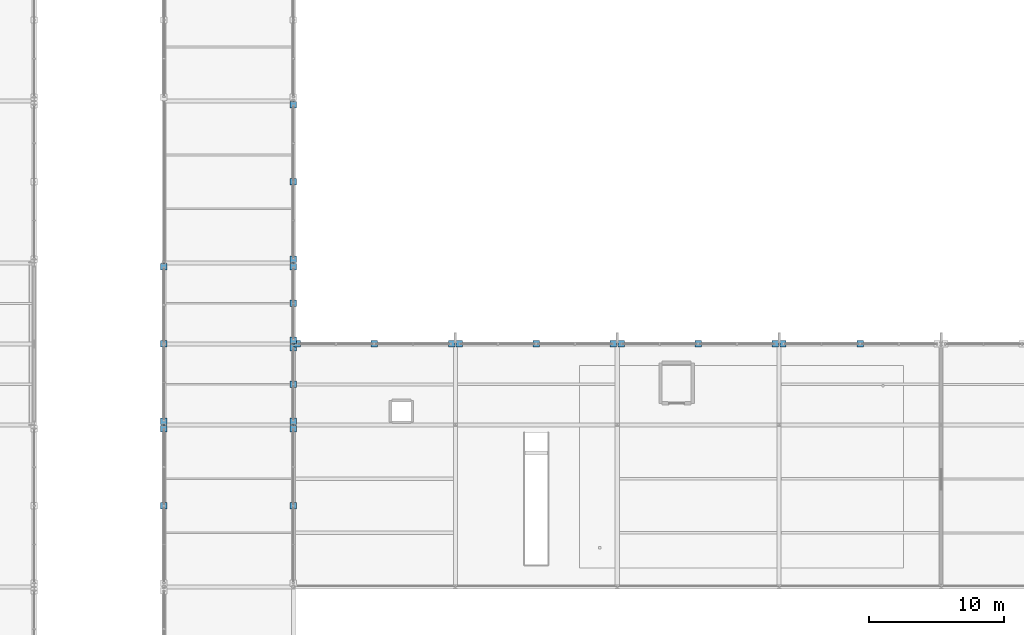
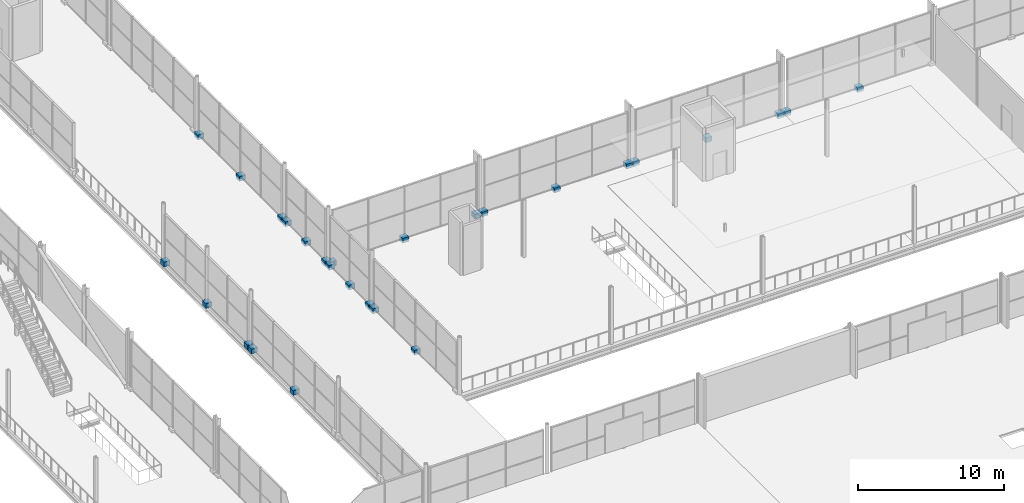
# One storey, part 146 of 159: 27 discrete accessories.
"""IFC4 building model written with IfcOpenShell, lengths in metres."""

from ifc_helpers import new_model, si_unit, direction, frame, origin, origin_2d, place, context, subcontext, project, spatial, rectangle, extrude, material, layer, layer_set, type_object, element, save


model = new_model("IFC4")

# Units and contexts
model_context = context("Model", 3, precision=1e-05, world=origin(), true_north=direction((0.0, 1.0)))
body_context = subcontext(model_context, "Body", "Model", "MODEL_VIEW")
ifc_project = project(units=[si_unit("LENGTHUNIT", "METRE"), si_unit("AREAUNIT", "SQUARE_METRE"), si_unit("VOLUMEUNIT", "CUBIC_METRE"), si_unit("PLANEANGLEUNIT", "RADIAN"), si_unit("MASSUNIT", "GRAM", prefix="KILO")], contexts=[model_context])

# Site, building, storey
site_placement = place(None, origin())
site = spatial("IfcSite", under=ifc_project, at=site_placement, CompositionType="ELEMENT")
building_placement = place(site_placement, origin())
building = spatial("IfcBuilding", under=site, at=building_placement, Name="Merenkruunu Market Hall", CompositionType="ELEMENT")
storey_placement = place(building_placement, frame((0.0, 0.0, 5.39990234375)))
storey = spatial("IfcBuildingStorey", under=building, at=storey_placement, Name="L01", CompositionType="ELEMENT", Elevation=5.39990234375)

# Discrete accessories
ifc_material = material(Name="Brushed stainless steel", Category="steel")
ifc_layer = layer(ifc_material, 0.159912109375)
ifc_layer_set = layer_set([ifc_layer], Name="Brushed stainless steel")
discrete_accessory_type = type_object("IfcDiscreteAccessoryType", Name="Stainless Facade Support Bracket BRK01", PredefinedType="BRACKET", material=ifc_layer_set)
for number, where, z_axis, x_axis, name in (
    (1, (76.800048828125, 33.60009765625, -0.199951171875), (0.0, 0.0, 1.0), (1.0, 0.0, 0.0), "ACC-CWBRK-153-2"),
    (2, (76.800048828125, 39.320068359375, -0.199951171875), (0.0, 0.0, 1.0), (1.0, 0.0, 0.0), "ACC-CWBRK-153-3"),
    (3, (76.800048828125, 39.8798828125, -0.199951171875), (0.0, 0.0, 1.0), (1.0, 0.0, 0.0), "ACC-CWBRK-155-1"),
    (4, (76.800048828125, 42.60009765625, -0.199951171875), (0.0, 0.0, 1.0), (1.0, 0.0, 0.0), "ACC-CWBRK-155-2"),
    (5, (76.800048828125, 45.320068359375, -0.199951171875), (0.0, 0.0, 1.0), (1.0, 0.0, 0.0), "ACC-CWBRK-155-3"),
    (6, (76.800048828125, 51.320068359375, -0.199951171875), (0.0, 0.0, 1.0), (1.0, 0.0, 0.0), "ACC-CWBRK-157-1"),
    (7, (76.800048828125, 48.60009765625, -0.199951171875), (0.0, 0.0, 1.0), (1.0, 0.0, 0.0), "ACC-CWBRK-157-2"),
    (8, (76.800048828125, 45.8798828125, -0.199951171875), (0.0, 0.0, 1.0), (1.0, 0.0, 0.0), "ACC-CWBRK-157-3"),
    (9, (76.800048828125, 63.320068359375, -0.199951171875), (0.0, 0.0, 1.0), (1.0, 0.0, 0.0), "ACC-CWBRK-160-1"),
    (10, (76.800048828125, 57.60009765625, -0.199951171875), (0.0, 0.0, 1.0), (1.0, 0.0, 0.0), "ACC-CWBRK-160-2"),
    (11, (76.800048828125, 51.8798828125, -0.199951171875), (0.0, 0.0, 1.0), (1.0, 0.0, 0.0), "ACC-CWBRK-160-3"),
    (12, (67.199951171875, 33.60009765625, -0.199951171875), (0.0, 0.0, 1.0), (1.0, 0.0, 0.0), "ACC-CWBRK-171-2"),
    (13, (67.199951171875, 39.320068359375, -0.199951171875), (0.0, 0.0, 1.0), (1.0, 0.0, 0.0), "ACC-CWBRK-171-3"),
    (14, (67.199951171875, 39.8798828125, -0.199951171875), (0.0, 0.0, 1.0), (1.0, 0.0, 0.0), "ACC-CWBRK-173-1"),
    (15, (67.199951171875, 45.60009765625, -0.199951171875), (0.0, 0.0, 1.0), (1.0, 0.0, 0.0), "ACC-CWBRK-173-2"),
    (16, (67.199951171875, 51.320068359375, -0.199951171875), (0.0, 0.0, 1.0), (1.0, 0.0, 0.0), "ACC-CWBRK-173-3"),
    (17, (77.080078125, 45.60009765625, -0.199951171875), (0.0, 0.0, 1.0), (1.0, 0.0, 0.0), "ACC-CWBRK-183-1"),
    (18, (82.800048828125, 45.60009765625, -0.199951171875), (0.0, 0.0, 1.0), (1.0, 0.0, 0.0), "ACC-CWBRK-183-2"),
    (19, (88.52001953125, 45.60009765625, -0.199951171875), (0.0, 0.0, 1.0), (1.0, 0.0, 0.0), "ACC-CWBRK-183-3"),
    (20, (89.080078125, 45.60009765625, -0.199951171875), (0.0, 0.0, 1.0), (1.0, 0.0, 0.0), "ACC-CWBRK-185-1"),
    (21, (94.800048828125, 45.60009765625, -0.199951171875), (0.0, 0.0, 1.0), (1.0, 0.0, 0.0), "ACC-CWBRK-185-2"),
    (22, (100.52001953125, 45.60009765625, -0.199951171875), (0.0, 0.0, 1.0), (1.0, 0.0, 0.0), "ACC-CWBRK-185-3"),
    (23, (101.080078125, 45.60009765625, -0.199951171875), (0.0, 0.0, 1.0), (1.0, 0.0, 0.0), "ACC-CWBRK-189-1"),
    (24, (106.800048828125, 45.60009765625, -0.199951171875), (0.0, 0.0, 1.0), (1.0, 0.0, 0.0), "ACC-CWBRK-189-2"),
    (25, (112.52001953125, 45.60009765625, -0.199951171875), (0.0, 0.0, 1.0), (1.0, 0.0, 0.0), "ACC-CWBRK-189-3"),
    (26, (113.080078125, 45.60009765625, -0.199951171875), (0.0, 0.0, 1.0), (1.0, 0.0, 0.0), "ACC-CWBRK-193-1"),
    (27, (118.800048828125, 45.60009765625, -0.199951171875), (0.0, 0.0, 1.0), (1.0, 0.0, 0.0), "ACC-CWBRK-193-2"),
):
    element("IfcDiscreteAccessory", number, at=place(storey_placement, frame(where, z_axis=z_axis, x_axis=x_axis)), inside=storey, type_object=discrete_accessory_type, Name=name, PredefinedType="BRACKET", context=body_context, shape_type="SweptSolid", body=[
        extrude(rectangle(XDim=0.47998046875, YDim=0.47998046875, at=origin_2d()), origin(), (0.0, 0.0, 1.0), 0.39990234375),
    ])

save(model, "model.ifc")
